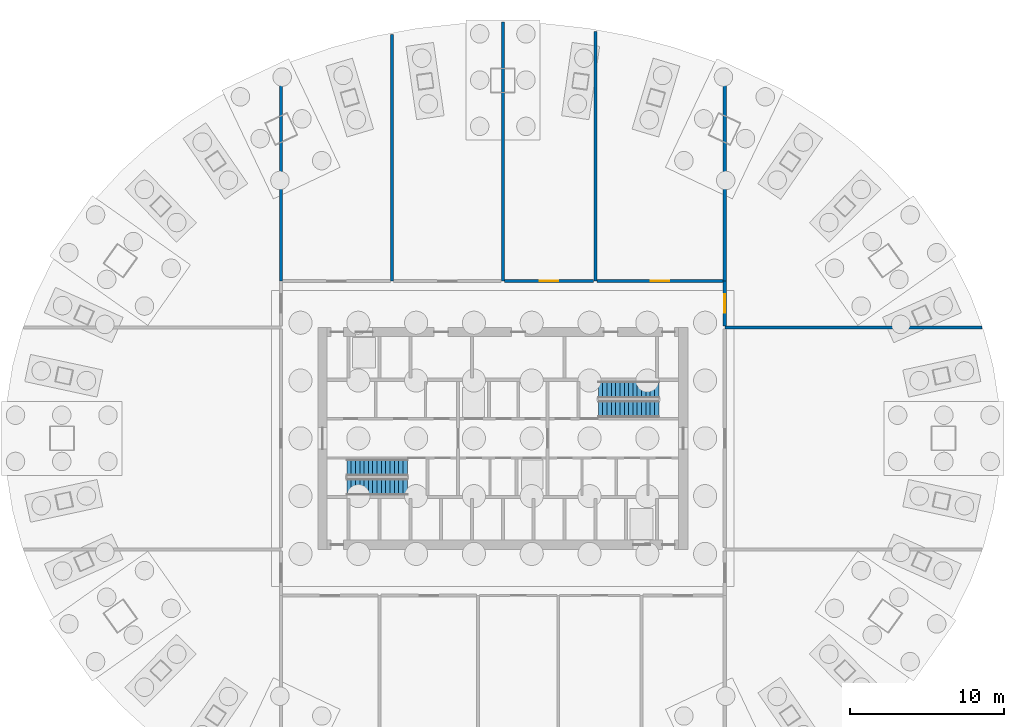
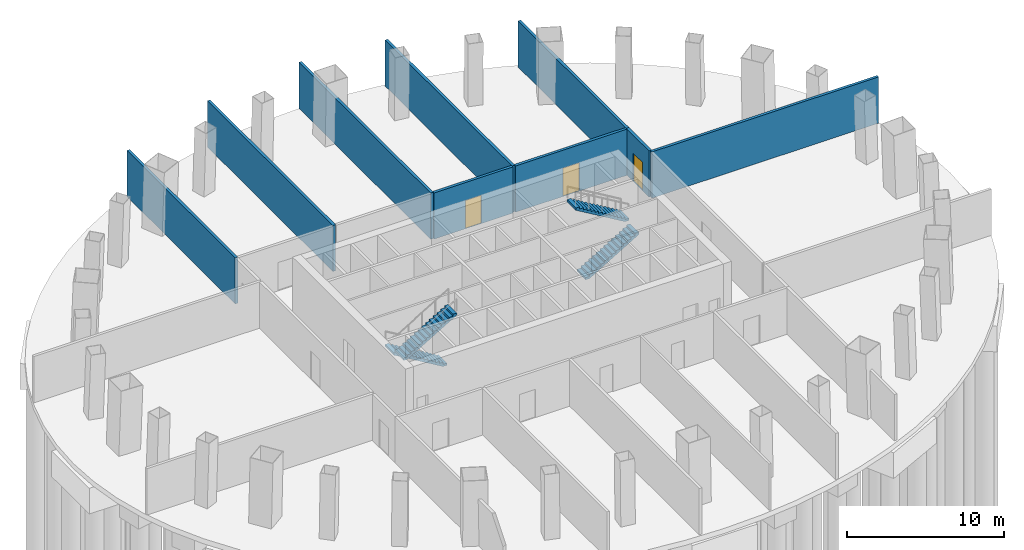
# One storey, part 5 of 7: 9 walls, 4 stair flights, 3 doors, 3 openings, 2 elements without a shape of their own.
"""IFC4 building model written with IfcOpenShell, lengths in metres."""

from ifc_helpers import new_model, si_unit, direction, frame, frame_2d, origin, place, context, subcontext, project, spatial, polyline, rectangle, outline, extrude, material, layer, layer_set, type_object, element, fill, aggregate, save


model = new_model("IFC4")

# Units and contexts
model_context = context("Model", 3, precision=1e-05, world=origin(), true_north=direction((0.0, 1.0)))
body_context = subcontext(model_context, "Body", "Model", "MODEL_VIEW")
ifc_project = project(units=[si_unit("LENGTHUNIT", "METRE"), si_unit("AREAUNIT", "SQUARE_METRE"), si_unit("VOLUMEUNIT", "CUBIC_METRE"), si_unit("PLANEANGLEUNIT", "RADIAN"), si_unit("MASSUNIT", "GRAM", prefix="KILO")], contexts=[model_context])

# Site, building, storey
site_placement = place(None, origin())
site = spatial("IfcSite", under=ifc_project, at=site_placement, CompositionType="ELEMENT")
building_placement = place(site_placement, origin())
building = spatial("IfcBuilding", under=site, at=building_placement, Name="Siaravel Broadcast Tower", CompositionType="ELEMENT")
storey_placement = place(building_placement, frame((0.0, 0.0, -5.0)))
storey = spatial("IfcBuildingStorey", under=building, at=storey_placement, Name="B1", CompositionType="ELEMENT", Elevation=-5.0)

# Walls
ifc_material_1 = material(Name="Concrete blockwork", Category="masonry")
ifc_layer = layer(ifc_material_1, 0.199951171875)
ifc_layer_set = layer_set([ifc_layer], Name="Concrete blockwork")
wall_type = type_object("IfcWallType", Name="Plant room wall 200", PredefinedType="PARTITIONING", material=ifc_layer_set)
wall_1_placement = place(storey_placement, frame((0.0, 10.199951171875, 0.0), z_axis=(0.0, 0.0, 1.0), x_axis=(0.0, 1.0, 0.0)))
element("IfcWall", 1, at=wall_1_placement, inside=storey, type_object=wall_type, Name="B1 partition 1", PredefinedType="PARTITIONING", context=body_context, shape_type="SweptSolid", body=[
    extrude(rectangle(XDim=16.800048828125, YDim=0.199951171875, at=frame_2d((8.39990234375, 0.0))), origin(), (0.0, 0.0, 1.0), 3.60009765625),
])
wall_2_placement = place(storey_placement, frame((31.099609375, 7.199951171875, 0.0), z_axis=(0.0, 0.0, 1.0), x_axis=(-1.0, 0.0, 0.0)))
element("IfcWall", 2, at=wall_2_placement, inside=storey, type_object=wall_type, Name="B1 partition 6", PredefinedType="PARTITIONING", context=body_context, shape_type="SweptSolid", body=[
    extrude(rectangle(XDim=16.69970703125, YDim=0.199951171875, at=frame_2d((8.349853515625, 0.0))), origin(), (0.0, 0.0, 1.0), 3.60009765625),
])
wall_3_placement = place(storey_placement, frame((6.0, 10.199951171875, 0.0), z_axis=(0.0, 0.0, 1.0), x_axis=(0.0, 1.0, 0.0)))
element("IfcWall", 3, at=wall_3_placement, inside=storey, type_object=wall_type, Name="B1 partition 8", PredefinedType="PARTITIONING", context=body_context, shape_type="SweptSolid", body=[
    extrude(rectangle(XDim=16.195556640625, YDim=0.199951171875, at=frame_2d((8.09765625, 0.0))), origin(), (0.0, 0.0, 1.0), 3.60009765625),
])
wall_4_placement = place(storey_placement, frame((-7.199951171875, 10.199951171875, 0.0), z_axis=(0.0, 0.0, 1.0), x_axis=(0.0, 1.0, 0.0)))
element("IfcWall", 4, at=wall_4_placement, inside=storey, type_object=wall_type, Name="B1 partition 9", PredefinedType="PARTITIONING", context=body_context, shape_type="SweptSolid", body=[
    extrude(rectangle(XDim=16.007568359375, YDim=0.199951171875, at=frame_2d((8.00390625, 0.0))), origin(), (0.0, 0.0, 1.0), 3.60009765625),
])
for number, where, z_axis, x_axis, name in (
    (5, (-14.39990234375, 10.199951171875, 0.0), (0.0, 0.0, 1.0), (0.0, 1.0, 0.0), "B1 partition 15"),
    (6, (14.39990234375, 23.9912109375, 0.0), (0.0, 0.0, 1.0), (0.0, -1.0, 0.0), "B1 partition 17"),
):
    element("IfcWall", number, at=place(storey_placement, frame(where, z_axis=z_axis, x_axis=x_axis)), inside=storey, type_object=wall_type, Name=name, PredefinedType="PARTITIONING", context=body_context, shape_type="SweptSolid", body=[
        extrude(rectangle(XDim=13.791259765625, YDim=0.199951171875, at=frame_2d((6.8955078125, 0.0))), origin(), (0.0, 0.0, 1.0), 3.60009765625),
    ])

# Wall, opening, door
wall_5_placement = place(storey_placement, frame((14.298095703125, 10.199951171875, 0.0), z_axis=(0.0, 0.0, 1.0), x_axis=(-1.0, 0.0, 0.0)))
wall_5 = element("IfcWall", 7, at=wall_5_placement, inside=storey, type_object=wall_type, Name="B1 partition 18", PredefinedType="PARTITIONING", context=body_context, shape_type="SweptSolid", body=[
    extrude(rectangle(XDim=8.196044921875, YDim=0.199951171875, at=frame_2d((4.09814453125, 0.0))), origin(), (0.0, 0.0, 1.0), 3.60009765625),
])
opening_1_placement = place(wall_5_placement, frame((3.498046875, 0.0, 0.0)))
opening_1 = element("IfcOpeningElement", 8, at=opening_1_placement, cuts=wall_5, Name="Opening B1-010", PredefinedType="OPENING", context=body_context, shape_type="SweptSolid", body=[
    extrude(rectangle(XDim=1.199951171875, YDim=2.199951171875, at=frame_2d((0.60009765625, 1.10009765625))), frame((0.0, 0.10986328125, 0.0), z_axis=(0.0, -1.0, 0.0), x_axis=(1.0, 0.0, 0.0)), (0.0, 0.0, 1.0), 0.219970703125),
])
ifc_material_2 = material(Name="Steel", Category="steel")
door_type = type_object("IfcDoorType", Name="Plant room door 1200", OperationType="DOUBLE_DOOR_SINGLE_SWING", PredefinedType="DOOR", material=ifc_material_2)
door_1_placement = place(opening_1_placement, origin())
door_1 = element("IfcDoor", 9, at=door_1_placement, inside=storey, type_object=door_type, Name="B1 door to Sprinkler pump room", OperationType="DOUBLE_DOOR_SINGLE_SWING", OverallHeight=2.199951171875, OverallWidth=1.199951171875, PredefinedType="DOOR", context=body_context, shape_type="SweptSolid", body=[
    extrude(rectangle(XDim=1.199951171875, YDim=2.199951171875, at=frame_2d((0.60009765625, 1.10009765625))), frame((0.0, 0.02490234375, 0.0), z_axis=(0.0, -1.0, 0.0), x_axis=(1.0, 0.0, 0.0)), (0.0, 0.0, 1.0), 0.050048828125),
])
fill(opening_1, door_1)

wall_6_placement = place(storey_placement, frame((5.89794921875, 10.199951171875, 0.0), z_axis=(0.0, 0.0, 1.0), x_axis=(-1.0, 0.0, 0.0)))
wall_6 = element("IfcWall", 10, at=wall_6_placement, inside=storey, type_object=wall_type, Name="B1 partition 23", PredefinedType="PARTITIONING", context=body_context, shape_type="SweptSolid", body=[
    extrude(rectangle(XDim=5.7958984375, YDim=0.199951171875, at=frame_2d((2.89794921875, 0.0))), origin(), (0.0, 0.0, 1.0), 3.60009765625),
])
opening_2_placement = place(wall_6_placement, frame((2.298095703125, 0.0, 0.0)))
opening_2 = element("IfcOpeningElement", 11, at=opening_2_placement, cuts=wall_6, Name="Opening B1-009", PredefinedType="OPENING", context=body_context, shape_type="SweptSolid", body=[
    extrude(rectangle(XDim=1.199951171875, YDim=2.199951171875, at=frame_2d((0.60009765625, 1.10009765625))), frame((0.0, 0.10986328125, 0.0), z_axis=(0.0, -1.0, 0.0), x_axis=(1.0, 0.0, 0.0)), (0.0, 0.0, 1.0), 0.219970703125),
])
door_2_placement = place(opening_2_placement, origin())
door_2 = element("IfcDoor", 12, at=door_2_placement, inside=storey, type_object=door_type, Name="B1 door to Pump room", OperationType="DOUBLE_DOOR_SINGLE_SWING", OverallHeight=2.199951171875, OverallWidth=1.199951171875, PredefinedType="DOOR", context=body_context, shape_type="SweptSolid", body=[
    extrude(rectangle(XDim=1.199951171875, YDim=2.199951171875, at=frame_2d((0.60009765625, 1.10009765625))), frame((0.0, 0.02490234375, 0.0), z_axis=(0.0, -1.0, 0.0), x_axis=(1.0, 0.0, 0.0)), (0.0, 0.0, 1.0), 0.050048828125),
])
fill(opening_2, door_2)

wall_7_placement = place(storey_placement, frame((14.39990234375, 7.302001953125, 0.0), z_axis=(0.0, 0.0, 1.0), x_axis=(0.0, 1.0, 0.0)))
wall_7 = element("IfcWall", 13, at=wall_7_placement, inside=storey, type_object=wall_type, Name="B1 partition 30", PredefinedType="PARTITIONING", context=body_context, shape_type="SweptSolid", body=[
    extrude(rectangle(XDim=2.89697265625, YDim=0.199951171875, at=frame_2d((1.448486328125, 0.0))), origin(), (0.0, 0.0, 1.0), 3.60009765625),
])
opening_3_placement = place(wall_7_placement, frame((0.848388671875, 0.0, 0.0)))
opening_3 = element("IfcOpeningElement", 14, at=opening_3_placement, cuts=wall_7, Name="Opening B1-006", PredefinedType="OPENING", context=body_context, shape_type="SweptSolid", body=[
    extrude(rectangle(XDim=1.199951171875, YDim=2.199951171875, at=frame_2d((0.60009765625, 1.10009765625))), frame((0.0, 0.10986328125, 0.0), z_axis=(0.0, -1.0, 0.0), x_axis=(1.0, 0.0, 0.0)), (0.0, 0.0, 1.0), 0.219970703125),
])
door_3_placement = place(opening_3_placement, origin())
door_3 = element("IfcDoor", 15, at=door_3_placement, inside=storey, type_object=door_type, Name="B1 door to Low voltage switch room", OperationType="DOUBLE_DOOR_SINGLE_SWING", OverallHeight=2.199951171875, OverallWidth=1.199951171875, PredefinedType="DOOR", context=body_context, shape_type="SweptSolid", body=[
    extrude(rectangle(XDim=1.199951171875, YDim=2.199951171875, at=frame_2d((0.60009765625, 1.10009765625))), frame((0.0, 0.02490234375, 0.0), z_axis=(0.0, -1.0, 0.0), x_axis=(1.0, 0.0, 0.0)), (0.0, 0.0, 1.0), 0.050048828125),
])
fill(opening_3, door_3)

# Stair, stair flights
ifc_material_3 = material(Name="Concrete C40/50", Category="concrete")
stair_type = type_object("IfcStairType", Name="Core exit stair", PredefinedType="HALF_TURN_STAIR", material=ifc_material_3)
stair_1_placement = place(storey_placement, origin())
stair_1 = element("IfcStair", 16, at=stair_1_placement, inside=storey, type_object=stair_type, Name="B1 Exit stair ST-1", PredefinedType="HALF_TURN_STAIR")
stair_flight_type = type_object("IfcStairFlightType", Name="Stair flight 1100", PredefinedType="STRAIGHT", material=ifc_material_3)
stair_flight_1_placement = place(storey_placement, frame((-6.199951171875, -1.89990234375, 0.0), z_axis=(0.0, 0.0, 1.0), x_axis=(-1.0, 0.0, 0.0)))
stair_flight_1 = element("IfcStairFlight", 17, at=stair_flight_1_placement, type_object=stair_flight_type, Name="ST-1 flight 1", NumberOfRisers=15, NumberOfTreads=14, PredefinedType="STRAIGHT", RiserHeight=0.1666667, TreadLength=0.28, context=body_context, shape_type="SweptSolid", body=[
    extrude(outline(polyline([(0.0, 0.0), (0.0, 0.166748046875), (0.280029296875, 0.166748046875), (0.280029296875, 0.333251953125), (0.56005859375, 0.333251953125), (0.56005859375, 0.5), (0.840087890625, 0.5), (0.840087890625, 0.666748046875), (1.1201171875, 0.666748046875), (1.1201171875, 0.833251953125), (1.39990234375, 0.833251953125), (1.39990234375, 1.0), (1.679931640625, 1.0), (1.679931640625, 1.166748046875), (1.9599609375, 1.166748046875), (1.9599609375, 1.333251953125), (2.239990234375, 1.333251953125), (2.239990234375, 1.5), (2.52001953125, 1.5), (2.52001953125, 1.666748046875), (2.800048828125, 1.666748046875), (2.800048828125, 1.833251953125), (3.080078125, 1.833251953125), (3.080078125, 2.0), (3.360107421875, 2.0), (3.360107421875, 2.166748046875), (3.639892578125, 2.166748046875), (3.639892578125, 2.333251953125), (3.919921875, 2.333251953125), (3.919921875, 2.5), (3.919921875, 2.158935546875), (0.29296875, 0.0), (0.0, 0.0)])), frame((0.0, 0.550048828125, 0.0), z_axis=(0.0, -1.0, 0.0), x_axis=(1.0, 0.0, 0.0)), (0.0, 0.0, 1.0), 1.10009765625),
])
stair_flight_2_placement = place(storey_placement, frame((-10.1201171875, -3.14990234375, 2.5), z_axis=(0.0, 0.0, 1.0), x_axis=(1.0, 0.0, 0.0)))
stair_flight_2 = element("IfcStairFlight", 18, at=stair_flight_2_placement, type_object=stair_flight_type, Name="ST-1 flight 2", NumberOfRisers=15, NumberOfTreads=14, PredefinedType="STRAIGHT", RiserHeight=0.1666667, TreadLength=0.28, context=body_context, shape_type="SweptSolid", body=[
    extrude(outline(polyline([(0.0, 0.0), (0.0, 0.166748046875), (0.280029296875, 0.166748046875), (0.280029296875, 0.333251953125), (0.56005859375, 0.333251953125), (0.56005859375, 0.5), (0.840087890625, 0.5), (0.840087890625, 0.666748046875), (1.1201171875, 0.666748046875), (1.1201171875, 0.833251953125), (1.39990234375, 0.833251953125), (1.39990234375, 1.0), (1.679931640625, 1.0), (1.679931640625, 1.166748046875), (1.9599609375, 1.166748046875), (1.9599609375, 1.333251953125), (2.239990234375, 1.333251953125), (2.239990234375, 1.5), (2.52001953125, 1.5), (2.52001953125, 1.666748046875), (2.800048828125, 1.666748046875), (2.800048828125, 1.833251953125), (3.080078125, 1.833251953125), (3.080078125, 2.0), (3.360107421875, 2.0), (3.360107421875, 2.166748046875), (3.639892578125, 2.166748046875), (3.639892578125, 2.333251953125), (3.919921875, 2.333251953125), (3.919921875, 2.5), (3.919921875, 2.158935546875), (0.29296875, 0.0), (0.0, 0.0)])), frame((0.0, 0.550048828125, 0.0), z_axis=(0.0, -1.0, 0.0), x_axis=(1.0, 0.0, 0.0)), (0.0, 0.0, 1.0), 1.10009765625),
])
aggregate(stair_1, [stair_flight_1, stair_flight_2])

stair_2_placement = place(storey_placement, origin())
stair_2 = element("IfcStair", 19, at=stair_2_placement, inside=storey, type_object=stair_type, Name="B1 Exit stair ST-2", PredefinedType="HALF_TURN_STAIR")
stair_flight_3_placement = place(storey_placement, frame((6.199951171875, 1.89990234375, 0.0), z_axis=(0.0, 0.0, 1.0), x_axis=(1.0, 0.0, 0.0)))
stair_flight_3 = element("IfcStairFlight", 20, at=stair_flight_3_placement, type_object=stair_flight_type, Name="ST-2 flight 1", NumberOfRisers=15, NumberOfTreads=14, PredefinedType="STRAIGHT", RiserHeight=0.1666667, TreadLength=0.28, context=body_context, shape_type="SweptSolid", body=[
    extrude(outline(polyline([(0.0, 0.0), (0.0, 0.166748046875), (0.280029296875, 0.166748046875), (0.280029296875, 0.333251953125), (0.56005859375, 0.333251953125), (0.56005859375, 0.5), (0.840087890625, 0.5), (0.840087890625, 0.666748046875), (1.1201171875, 0.666748046875), (1.1201171875, 0.833251953125), (1.39990234375, 0.833251953125), (1.39990234375, 1.0), (1.679931640625, 1.0), (1.679931640625, 1.166748046875), (1.9599609375, 1.166748046875), (1.9599609375, 1.333251953125), (2.239990234375, 1.333251953125), (2.239990234375, 1.5), (2.52001953125, 1.5), (2.52001953125, 1.666748046875), (2.800048828125, 1.666748046875), (2.800048828125, 1.833251953125), (3.080078125, 1.833251953125), (3.080078125, 2.0), (3.360107421875, 2.0), (3.360107421875, 2.166748046875), (3.639892578125, 2.166748046875), (3.639892578125, 2.333251953125), (3.919921875, 2.333251953125), (3.919921875, 2.5), (3.919921875, 2.158935546875), (0.29296875, 0.0), (0.0, 0.0)])), frame((0.0, 0.550048828125, 0.0), z_axis=(0.0, -1.0, 0.0), x_axis=(1.0, 0.0, 0.0)), (0.0, 0.0, 1.0), 1.10009765625),
])
stair_flight_4_placement = place(storey_placement, frame((10.1201171875, 3.14990234375, 2.5), z_axis=(0.0, 0.0, 1.0), x_axis=(-1.0, 0.0, 0.0)))
stair_flight_4 = element("IfcStairFlight", 21, at=stair_flight_4_placement, type_object=stair_flight_type, Name="ST-2 flight 2", NumberOfRisers=15, NumberOfTreads=14, PredefinedType="STRAIGHT", RiserHeight=0.1666667, TreadLength=0.28, context=body_context, shape_type="SweptSolid", body=[
    extrude(outline(polyline([(0.0, 0.0), (0.0, 0.166748046875), (0.280029296875, 0.166748046875), (0.280029296875, 0.333251953125), (0.56005859375, 0.333251953125), (0.56005859375, 0.5), (0.840087890625, 0.5), (0.840087890625, 0.666748046875), (1.1201171875, 0.666748046875), (1.1201171875, 0.833251953125), (1.39990234375, 0.833251953125), (1.39990234375, 1.0), (1.679931640625, 1.0), (1.679931640625, 1.166748046875), (1.9599609375, 1.166748046875), (1.9599609375, 1.333251953125), (2.239990234375, 1.333251953125), (2.239990234375, 1.5), (2.52001953125, 1.5), (2.52001953125, 1.666748046875), (2.800048828125, 1.666748046875), (2.800048828125, 1.833251953125), (3.080078125, 1.833251953125), (3.080078125, 2.0), (3.360107421875, 2.0), (3.360107421875, 2.166748046875), (3.639892578125, 2.166748046875), (3.639892578125, 2.333251953125), (3.919921875, 2.333251953125), (3.919921875, 2.5), (3.919921875, 2.158935546875), (0.29296875, 0.0), (0.0, 0.0)])), frame((0.0, 0.550048828125, 0.0), z_axis=(0.0, -1.0, 0.0), x_axis=(1.0, 0.0, 0.0)), (0.0, 0.0, 1.0), 1.10009765625),
])
aggregate(stair_2, [stair_flight_3, stair_flight_4])

save(model, "model.ifc")
